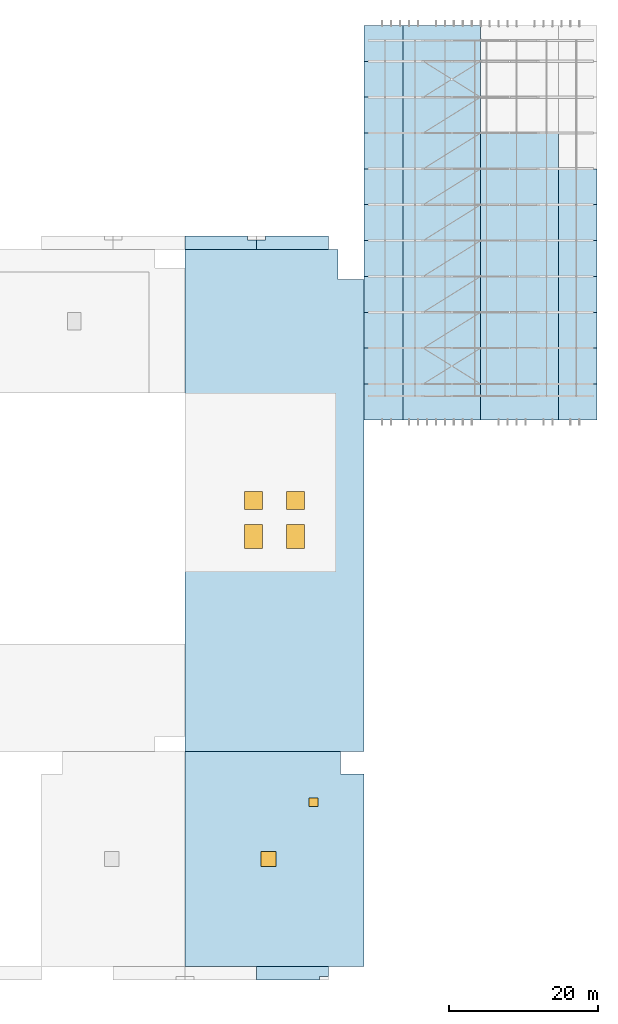
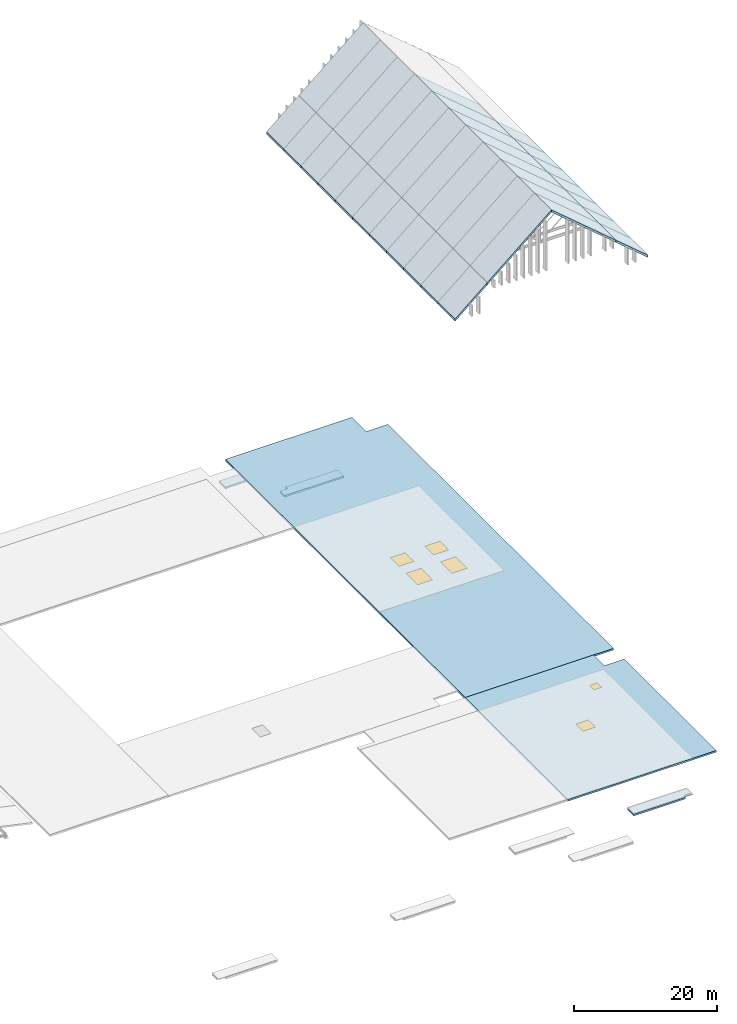
# One storey, part 41 of 60: 42 slabs, 6 windows, 6 openings, 1 element without a shape of its own.
"""IFC4 building model written with IfcOpenShell, lengths in metres."""

from ifc_helpers import new_model, si_unit, direction, frame, origin, origin_2d, place, context, subcontext, project, spatial, polyline, rectangle, outline, extrude, material, layer, layer_set, type_object, element, fill, aggregate, save


model = new_model("IFC4")

# Units and contexts
model_context = context("Model", 3, precision=1e-05, world=origin(), true_north=direction((0.0, 1.0)))
body_context = subcontext(model_context, "Body", "Model", "MODEL_VIEW")
ifc_project = project(units=[si_unit("LENGTHUNIT", "METRE"), si_unit("AREAUNIT", "SQUARE_METRE"), si_unit("VOLUMEUNIT", "CUBIC_METRE"), si_unit("PLANEANGLEUNIT", "RADIAN"), si_unit("MASSUNIT", "GRAM", prefix="KILO")], contexts=[model_context])

# Site, building, storey
site_placement = place(None, origin())
site = spatial("IfcSite", under=ifc_project, at=site_placement, CompositionType="ELEMENT")
building_placement = place(site_placement, origin())
building = spatial("IfcBuilding", under=site, at=building_placement, Name="Nakhvara Creek Congress Hotel", CompositionType="ELEMENT")
storey_placement = place(building_placement, frame((0.0, 0.0, 54.60009765625)))
storey = spatial("IfcBuildingStorey", under=building, at=storey_placement, Name="RL1", CompositionType="ELEMENT", Elevation=54.60009765625)

# Slab, openings, windows
ifc_material_1 = material(Name="Concrete C40/50", Category="concrete")
ifc_layer_1 = layer(ifc_material_1, 0.2900390625)
ifc_layer_set_1 = layer_set([ifc_layer_1], Name="Concrete C40/50")
slab_type_1 = type_object("IfcSlabType", Name="SL-ROOF-290", PredefinedType="ROOF", material=ifc_layer_set_1)
slab_1_placement = place(storey_placement, frame((0.0, 0.0, -33.89013671875)))
slab_1 = element("IfcSlab", 1, at=slab_1_placement, inside=storey, type_object=slab_type_1, Name="Maintenance Roof Slab SLB-RF-V3-EAST", PredefinedType="ROOF", context=body_context, shape_type="SweptSolid", body=[
    extrude(outline(polyline([(124.800048828125, 28.800048828125), (148.800048828125, 28.800048828125), (148.800048828125, 92.0), (145.300048828125, 92.0), (145.300048828125, 96.0), (124.800048828125, 96.0), (124.800048828125, 28.800048828125)])), origin(), (0.0, 0.0, 1.0), 0.2900390625),
])
opening_1_placement = place(slab_1_placement, frame((134.0, 57.60009765625, 0.0), z_axis=(0.0, 0.0, 1.0), x_axis=(1.0, 0.0, 0.0)))
opening_1 = element("IfcOpeningElement", 2, at=opening_1_placement, cuts=slab_1, Name="Opening SK01", PredefinedType="OPENING", context=body_context, shape_type="SweptSolid", body=[
    extrude(rectangle(XDim=2.39990234375, YDim=3.199951171875, at=origin_2d()), frame((0.0, 0.0, -0.011962890625)), (0.0, 0.0, 1.0), 0.31396484375),
])
opening_2_placement = place(slab_1_placement, frame((139.60009765625, 57.60009765625, 0.0), z_axis=(0.0, 0.0, 1.0), x_axis=(1.0, 0.0, 0.0)))
opening_2 = element("IfcOpeningElement", 3, at=opening_2_placement, cuts=slab_1, Name="Opening SK02", PredefinedType="OPENING", context=body_context, shape_type="SweptSolid", body=[
    extrude(rectangle(XDim=2.39990234375, YDim=3.199951171875, at=origin_2d()), frame((0.0, 0.0, -0.011962890625)), (0.0, 0.0, 1.0), 0.31396484375),
])
opening_3_placement = place(slab_1_placement, frame((134.0, 62.39990234375, 0.0), z_axis=(0.0, 0.0, 1.0), x_axis=(1.0, 0.0, 0.0)))
opening_3 = element("IfcOpeningElement", 4, at=opening_3_placement, cuts=slab_1, Name="Opening SK03", PredefinedType="OPENING", context=body_context, shape_type="SweptSolid", body=[
    extrude(rectangle(XDim=2.39990234375, YDim=2.39990234375, at=origin_2d()), frame((0.0, 0.0, -0.011962890625)), (0.0, 0.0, 1.0), 0.31396484375),
])
opening_4_placement = place(slab_1_placement, frame((139.60009765625, 62.39990234375, 0.0), z_axis=(0.0, 0.0, 1.0), x_axis=(1.0, 0.0, 0.0)))
opening_4 = element("IfcOpeningElement", 5, at=opening_4_placement, cuts=slab_1, Name="Opening SK04", PredefinedType="OPENING", context=body_context, shape_type="SweptSolid", body=[
    extrude(rectangle(XDim=2.39990234375, YDim=2.39990234375, at=origin_2d()), frame((0.0, 0.0, -0.011962890625)), (0.0, 0.0, 1.0), 0.31396484375),
])
ifc_material_2 = material(Name="Thermally broken bronze-anodised aluminium and double-silver low-E insulated glass", Category="aluminium")
window_type_1 = type_object("IfcWindowType", Name="SK-ATR-240X240", PartitioningType="SINGLE_PANEL", PredefinedType="SKYLIGHT", material=ifc_material_2)
window_1_placement = place(opening_3_placement, frame((0.0, 0.0, 0.239990234375)))
window_1 = element("IfcWindow", 6, at=window_1_placement, inside=storey, type_object=window_type_1, Name="Roof Skylight SK03", OverallHeight=2.39990234375, OverallWidth=2.39990234375, PartitioningType="SINGLE_PANEL", PredefinedType="SKYLIGHT", context=body_context, shape_type="SweptSolid", body=[
    extrude(rectangle(XDim=2.39990234375, YDim=2.39990234375, at=origin_2d()), origin(), (0.0, 0.0, 1.0), 0.050048828125),
])
fill(opening_3, window_1)
window_2_placement = place(opening_4_placement, frame((0.0, 0.0, 0.239990234375)))
window_2 = element("IfcWindow", 7, at=window_2_placement, inside=storey, type_object=window_type_1, Name="Roof Skylight SK04", OverallHeight=2.39990234375, OverallWidth=2.39990234375, PartitioningType="SINGLE_PANEL", PredefinedType="SKYLIGHT", context=body_context, shape_type="SweptSolid", body=[
    extrude(rectangle(XDim=2.39990234375, YDim=2.39990234375, at=origin_2d()), origin(), (0.0, 0.0, 1.0), 0.050048828125),
])
fill(opening_4, window_2)
window_type_2 = type_object("IfcWindowType", Name="SK-ATR-240X320", PartitioningType="SINGLE_PANEL", PredefinedType="SKYLIGHT", material=ifc_material_2)
window_3_placement = place(opening_1_placement, frame((0.0, 0.0, 0.239990234375)))
window_3 = element("IfcWindow", 8, at=window_3_placement, inside=storey, type_object=window_type_2, Name="Roof Skylight SK01", OverallHeight=3.199951171875, OverallWidth=2.39990234375, PartitioningType="SINGLE_PANEL", PredefinedType="SKYLIGHT", context=body_context, shape_type="SweptSolid", body=[
    extrude(rectangle(XDim=2.39990234375, YDim=3.199951171875, at=origin_2d()), origin(), (0.0, 0.0, 1.0), 0.050048828125),
])
fill(opening_1, window_3)
window_4_placement = place(opening_2_placement, frame((0.0, 0.0, 0.239990234375)))
window_4 = element("IfcWindow", 9, at=window_4_placement, inside=storey, type_object=window_type_2, Name="Roof Skylight SK02", OverallHeight=3.199951171875, OverallWidth=2.39990234375, PartitioningType="SINGLE_PANEL", PredefinedType="SKYLIGHT", context=body_context, shape_type="SweptSolid", body=[
    extrude(rectangle(XDim=2.39990234375, YDim=3.199951171875, at=origin_2d()), origin(), (0.0, 0.0, 1.0), 0.050048828125),
])
fill(opening_2, window_4)

slab_2_placement = place(storey_placement, frame((0.0, 0.0, -33.89013671875)))
slab_2 = element("IfcSlab", 10, at=slab_2_placement, inside=storey, type_object=slab_type_1, Name="Maintenance Roof Slab SLB-RF-V4E-E", PredefinedType="ROOF", context=body_context, shape_type="SweptSolid", body=[
    extrude(outline(polyline([(124.800048828125, 0.0), (148.800048828125, 0.0), (148.800048828125, 25.800048828125), (145.60009765625, 25.800048828125), (145.60009765625, 28.800048828125), (124.800048828125, 28.800048828125), (124.800048828125, 0.0)])), origin(), (0.0, 0.0, 1.0), 0.2900390625),
])
opening_5_placement = place(slab_2_placement, frame((136.0, 14.39990234375, 0.0), z_axis=(0.0, 0.0, 1.0), x_axis=(1.0, 0.0, 0.0)))
opening_5 = element("IfcOpeningElement", 11, at=opening_5_placement, cuts=slab_2, Name="Opening SK08", PredefinedType="OPENING", context=body_context, shape_type="SweptSolid", body=[
    extrude(rectangle(XDim=2.0, YDim=2.0, at=origin_2d()), frame((0.0, 0.0, -0.011962890625)), (0.0, 0.0, 1.0), 0.31396484375),
])
opening_6_placement = place(slab_2_placement, frame((142.0, 22.0, 0.0), z_axis=(0.0, 0.0, 1.0), x_axis=(1.0, 0.0, 0.0)))
opening_6 = element("IfcOpeningElement", 12, at=opening_6_placement, cuts=slab_2, Name="Opening RH02", PredefinedType="OPENING", context=body_context, shape_type="SweptSolid", body=[
    extrude(rectangle(XDim=1.199951171875, YDim=1.199951171875, at=origin_2d()), frame((0.0, 0.0, -0.011962890625)), (0.0, 0.0, 1.0), 0.31396484375),
])
window_type_3 = type_object("IfcWindowType", Name="SK-HTH-120X120", PartitioningType="SINGLE_PANEL", PredefinedType="SKYLIGHT", material=ifc_material_2)
window_5_placement = place(opening_6_placement, frame((0.0, 0.0, 0.239990234375)))
window_5 = element("IfcWindow", 13, at=window_5_placement, inside=storey, type_object=window_type_3, Name="Roof Skylight RH02", OverallHeight=1.199951171875, OverallWidth=1.199951171875, PartitioningType="SINGLE_PANEL", PredefinedType="SKYLIGHT", context=body_context, shape_type="SweptSolid", body=[
    extrude(rectangle(XDim=1.199951171875, YDim=1.199951171875, at=origin_2d()), origin(), (0.0, 0.0, 1.0), 0.050048828125),
])
fill(opening_6, window_5)
window_type_4 = type_object("IfcWindowType", Name="SK-SPA-200X200", PartitioningType="SINGLE_PANEL", PredefinedType="SKYLIGHT", material=ifc_material_2)
window_6_placement = place(opening_5_placement, frame((0.0, 0.0, 0.239990234375)))
window_6 = element("IfcWindow", 14, at=window_6_placement, inside=storey, type_object=window_type_4, Name="Roof Skylight SK08", OverallHeight=2.0, OverallWidth=2.0, PartitioningType="SINGLE_PANEL", PredefinedType="SKYLIGHT", context=body_context, shape_type="SweptSolid", body=[
    extrude(rectangle(XDim=2.0, YDim=2.0, at=origin_2d()), origin(), (0.0, 0.0, 1.0), 0.050048828125),
])
fill(opening_5, window_6)

# Slabs
slab_3_placement = place(storey_placement, frame((0.0, 0.0, -38.690185546875)))
element("IfcSlab", 15, at=slab_3_placement, inside=storey, type_object=slab_type_1, Name="Glazed Meeting Box Maintenance Roof Slab PBOX-L02-N3", PredefinedType="ROOF", context=body_context, shape_type="SweptSolid", body=[
    extrude(outline(polyline([(124.800048828125, 96.0), (134.39990234375, 96.0), (134.39990234375, 97.300048828125), (133.199951171875, 97.300048828125), (133.199951171875, 97.800048828125), (124.800048828125, 97.800048828125), (124.800048828125, 96.0)])), origin(), (0.0, 0.0, 1.0), 0.2900390625),
])
slab_4_placement = place(storey_placement, frame((0.0, 0.0, -38.690185546875)))
element("IfcSlab", 16, at=slab_4_placement, inside=storey, type_object=slab_type_1, Name="Glazed Meeting Box Maintenance Roof Slab PBOX-L02-S2", PredefinedType="ROOF", context=body_context, shape_type="SweptSolid", body=[
    extrude(outline(polyline([(134.39990234375, -1.800048828125), (142.800048828125, -1.800048828125), (142.800048828125, -1.300048828125), (144.0, -1.300048828125), (144.0, 0.0), (134.39990234375, 0.0), (134.39990234375, -1.800048828125)])), origin(), (0.0, 0.0, 1.0), 0.2900390625),
])
slab_5_placement = place(storey_placement, frame((0.0, 0.0, -43.489990234375)))
element("IfcSlab", 17, at=slab_5_placement, inside=storey, type_object=slab_type_1, Name="Glazed Foyer Box Maintenance Roof Slab PBOX-L01-N3", PredefinedType="ROOF", context=body_context, shape_type="SweptSolid", body=[
    extrude(outline(polyline([(134.39990234375, 96.0), (144.0, 96.0), (144.0, 97.800048828125), (135.60009765625, 97.800048828125), (135.60009765625, 97.300048828125), (134.39990234375, 97.300048828125), (134.39990234375, 96.0)])), origin(), (0.0, 0.0, 1.0), 0.289794921875),
])

# Roof, slabs
ifc_layer_2 = layer(ifc_material_1, 0.31005859375)
ifc_layer_set_2 = layer_set([ifc_layer_2], Name="Concrete C40/50")
roof_type = type_object("IfcRoofType", Name="ROOF-HTL-GABLE", PredefinedType="GABLE_ROOF", material=ifc_layer_set_2)
roof_placement = place(storey_placement, origin())
roof = element("IfcRoof", 18, at=roof_placement, inside=storey, type_object=roof_type, Name="Hotel Wing Steep Triangular Gothic Gable Roof", PredefinedType="GABLE_ROOF")
ifc_layer_3 = layer(ifc_material_1, 0.31005859375)
ifc_layer_set_3 = layer_set([ifc_layer_3], Name="Concrete C40/50")
slab_type_2 = type_object("IfcSlabType", Name="SL-ROOF-310", PredefinedType="ROOF", material=ifc_layer_set_3)
slab_6_placement = place(storey_placement, frame((148.800048828125, 73.199951171875, -4.2001953125), z_axis=(0.0, 0.0, 1.0), x_axis=(1.0, 0.0, 0.0)))
slab_6 = element("IfcSlab", 19, at=slab_6_placement, type_object=slab_type_2, Name="Hotel Gothic Gable West Lower Eave Slope Bay 1", PredefinedType="ROOF", context=body_context, shape_type="SweptSolid", body=[
    extrude(outline(polyline([(0.0, 0.0), (5.199951171875, 4.400146484375), (5.199951171875, 3.994140625), (0.0, -0.406005859375), (0.0, 0.0)])), frame((0.0, 4.800048828125, 0.0), z_axis=(0.0, -1.0, 0.0), x_axis=(1.0, 0.0, 0.0)), (0.0, 0.0, 1.0), 4.800048828125),
])
slab_7_placement = place(storey_placement, frame((174.800048828125, 73.199951171875, 0.199951171875), z_axis=(0.0, 0.0, 1.0), x_axis=(1.0, 0.0, 0.0)))
slab_7 = element("IfcSlab", 20, at=slab_7_placement, type_object=slab_type_2, Name="Hotel Gothic Gable East Lower Eave Slope Bay 1", PredefinedType="ROOF", context=body_context, shape_type="SweptSolid", body=[
    extrude(outline(polyline([(0.0, 0.0), (5.199951171875, -4.400146484375), (5.199951171875, -4.80615234375), (0.0, -0.406005859375), (0.0, 0.0)])), frame((0.0, 4.800048828125, 0.0), z_axis=(0.0, -1.0, 0.0), x_axis=(1.0, 0.0, 0.0)), (0.0, 0.0, 1.0), 4.800048828125),
])
slab_8_placement = place(storey_placement, frame((154.0, 73.199951171875, 0.199951171875), z_axis=(0.0, 0.0, 1.0), x_axis=(1.0, 0.0, 0.0)))
slab_8 = element("IfcSlab", 21, at=slab_8_placement, type_object=slab_type_2, Name="Hotel Gothic Gable West Crown Roof Slope Bay 1", PredefinedType="ROOF", context=body_context, shape_type="SweptSolid", body=[
    extrude(outline(polyline([(0.0, 0.0), (10.39990234375, 8.800048828125), (10.39990234375, 8.39404296875), (0.0, -0.406005859375), (0.0, 0.0)])), frame((0.0, 4.800048828125, 0.0), z_axis=(0.0, -1.0, 0.0), x_axis=(1.0, 0.0, 0.0)), (0.0, 0.0, 1.0), 4.800048828125),
])
slab_9_placement = place(storey_placement, frame((164.39990234375, 73.199951171875, 9.0), z_axis=(0.0, 0.0, 1.0), x_axis=(1.0, 0.0, 0.0)))
slab_9 = element("IfcSlab", 22, at=slab_9_placement, type_object=slab_type_2, Name="Hotel Gothic Gable East Crown Roof Slope Bay 1", PredefinedType="ROOF", context=body_context, shape_type="SweptSolid", body=[
    extrude(outline(polyline([(0.0, 0.0), (10.400146484375, -8.800048828125), (10.400146484375, -9.2060546875), (0.0, -0.406005859375), (0.0, 0.0)])), frame((0.0, 4.800048828125, 0.0), z_axis=(0.0, -1.0, 0.0), x_axis=(1.0, 0.0, 0.0)), (0.0, 0.0, 1.0), 4.800048828125),
])
slab_10_placement = place(storey_placement, frame((148.800048828125, 78.0, -4.2001953125), z_axis=(0.0, 0.0, 1.0), x_axis=(1.0, 0.0, 0.0)))
slab_10 = element("IfcSlab", 23, at=slab_10_placement, type_object=slab_type_2, Name="Hotel Gothic Gable West Lower Eave Slope Bay 2", PredefinedType="ROOF", context=body_context, shape_type="SweptSolid", body=[
    extrude(outline(polyline([(0.0, 0.0), (5.199951171875, 4.400146484375), (5.199951171875, 3.994140625), (0.0, -0.406005859375), (0.0, 0.0)])), frame((0.0, 4.800048828125, 0.0), z_axis=(0.0, -1.0, 0.0), x_axis=(1.0, 0.0, 0.0)), (0.0, 0.0, 1.0), 4.800048828125),
])
slab_11_placement = place(storey_placement, frame((174.800048828125, 78.0, 0.199951171875), z_axis=(0.0, 0.0, 1.0), x_axis=(1.0, 0.0, 0.0)))
slab_11 = element("IfcSlab", 24, at=slab_11_placement, type_object=slab_type_2, Name="Hotel Gothic Gable East Lower Eave Slope Bay 2", PredefinedType="ROOF", context=body_context, shape_type="SweptSolid", body=[
    extrude(outline(polyline([(0.0, 0.0), (5.199951171875, -4.400146484375), (5.199951171875, -4.80615234375), (0.0, -0.406005859375), (0.0, 0.0)])), frame((0.0, 4.800048828125, 0.0), z_axis=(0.0, -1.0, 0.0), x_axis=(1.0, 0.0, 0.0)), (0.0, 0.0, 1.0), 4.800048828125),
])
slab_12_placement = place(storey_placement, frame((154.0, 78.0, 0.199951171875), z_axis=(0.0, 0.0, 1.0), x_axis=(1.0, 0.0, 0.0)))
slab_12 = element("IfcSlab", 25, at=slab_12_placement, type_object=slab_type_2, Name="Hotel Gothic Gable West Crown Roof Slope Bay 2", PredefinedType="ROOF", context=body_context, shape_type="SweptSolid", body=[
    extrude(outline(polyline([(0.0, 0.0), (10.39990234375, 8.800048828125), (10.39990234375, 8.39404296875), (0.0, -0.406005859375), (0.0, 0.0)])), frame((0.0, 4.800048828125, 0.0), z_axis=(0.0, -1.0, 0.0), x_axis=(1.0, 0.0, 0.0)), (0.0, 0.0, 1.0), 4.800048828125),
])
slab_13_placement = place(storey_placement, frame((164.39990234375, 78.0, 9.0), z_axis=(0.0, 0.0, 1.0), x_axis=(1.0, 0.0, 0.0)))
slab_13 = element("IfcSlab", 26, at=slab_13_placement, type_object=slab_type_2, Name="Hotel Gothic Gable East Crown Roof Slope Bay 2", PredefinedType="ROOF", context=body_context, shape_type="SweptSolid", body=[
    extrude(outline(polyline([(0.0, 0.0), (10.400146484375, -8.800048828125), (10.400146484375, -9.2060546875), (0.0, -0.406005859375), (0.0, 0.0)])), frame((0.0, 4.800048828125, 0.0), z_axis=(0.0, -1.0, 0.0), x_axis=(1.0, 0.0, 0.0)), (0.0, 0.0, 1.0), 4.800048828125),
])
slab_14_placement = place(storey_placement, frame((148.800048828125, 82.800048828125, -4.2001953125), z_axis=(0.0, 0.0, 1.0), x_axis=(1.0, 0.0, 0.0)))
slab_14 = element("IfcSlab", 27, at=slab_14_placement, type_object=slab_type_2, Name="Hotel Gothic Gable West Lower Eave Slope Bay 3", PredefinedType="ROOF", context=body_context, shape_type="SweptSolid", body=[
    extrude(outline(polyline([(0.0, 0.0), (5.199951171875, 4.400146484375), (5.199951171875, 3.994140625), (0.0, -0.406005859375), (0.0, 0.0)])), frame((0.0, 4.800048828125, 0.0), z_axis=(0.0, -1.0, 0.0), x_axis=(1.0, 0.0, 0.0)), (0.0, 0.0, 1.0), 4.800048828125),
])
slab_15_placement = place(storey_placement, frame((174.800048828125, 82.800048828125, 0.199951171875), z_axis=(0.0, 0.0, 1.0), x_axis=(1.0, 0.0, 0.0)))
slab_15 = element("IfcSlab", 28, at=slab_15_placement, type_object=slab_type_2, Name="Hotel Gothic Gable East Lower Eave Slope Bay 3", PredefinedType="ROOF", context=body_context, shape_type="SweptSolid", body=[
    extrude(outline(polyline([(0.0, 0.0), (5.199951171875, -4.400146484375), (5.199951171875, -4.80615234375), (0.0, -0.406005859375), (0.0, 0.0)])), frame((0.0, 4.800048828125, 0.0), z_axis=(0.0, -1.0, 0.0), x_axis=(1.0, 0.0, 0.0)), (0.0, 0.0, 1.0), 4.800048828125),
])
slab_16_placement = place(storey_placement, frame((154.0, 82.800048828125, 0.199951171875), z_axis=(0.0, 0.0, 1.0), x_axis=(1.0, 0.0, 0.0)))
slab_16 = element("IfcSlab", 29, at=slab_16_placement, type_object=slab_type_2, Name="Hotel Gothic Gable West Crown Roof Slope Bay 3", PredefinedType="ROOF", context=body_context, shape_type="SweptSolid", body=[
    extrude(outline(polyline([(0.0, 0.0), (10.39990234375, 8.800048828125), (10.39990234375, 8.39404296875), (0.0, -0.406005859375), (0.0, 0.0)])), frame((0.0, 4.800048828125, 0.0), z_axis=(0.0, -1.0, 0.0), x_axis=(1.0, 0.0, 0.0)), (0.0, 0.0, 1.0), 4.800048828125),
])
slab_17_placement = place(storey_placement, frame((164.39990234375, 82.800048828125, 9.0), z_axis=(0.0, 0.0, 1.0), x_axis=(1.0, 0.0, 0.0)))
slab_17 = element("IfcSlab", 30, at=slab_17_placement, type_object=slab_type_2, Name="Hotel Gothic Gable East Crown Roof Slope Bay 3", PredefinedType="ROOF", context=body_context, shape_type="SweptSolid", body=[
    extrude(outline(polyline([(0.0, 0.0), (10.400146484375, -8.800048828125), (10.400146484375, -9.2060546875), (0.0, -0.406005859375), (0.0, 0.0)])), frame((0.0, 4.800048828125, 0.0), z_axis=(0.0, -1.0, 0.0), x_axis=(1.0, 0.0, 0.0)), (0.0, 0.0, 1.0), 4.800048828125),
])
slab_18_placement = place(storey_placement, frame((148.800048828125, 87.60009765625, -4.2001953125), z_axis=(0.0, 0.0, 1.0), x_axis=(1.0, 0.0, 0.0)))
slab_18 = element("IfcSlab", 31, at=slab_18_placement, type_object=slab_type_2, Name="Hotel Gothic Gable West Lower Eave Slope Bay 4", PredefinedType="ROOF", context=body_context, shape_type="SweptSolid", body=[
    extrude(outline(polyline([(0.0, 0.0), (5.199951171875, 4.400146484375), (5.199951171875, 3.994140625), (0.0, -0.406005859375), (0.0, 0.0)])), frame((0.0, 4.7998046875, 0.0), z_axis=(0.0, -1.0, 0.0), x_axis=(1.0, 0.0, 0.0)), (0.0, 0.0, 1.0), 4.7998046875),
])
slab_19_placement = place(storey_placement, frame((174.800048828125, 87.60009765625, 0.199951171875), z_axis=(0.0, 0.0, 1.0), x_axis=(1.0, 0.0, 0.0)))
slab_19 = element("IfcSlab", 32, at=slab_19_placement, type_object=slab_type_2, Name="Hotel Gothic Gable East Lower Eave Slope Bay 4", PredefinedType="ROOF", context=body_context, shape_type="SweptSolid", body=[
    extrude(outline(polyline([(0.0, 0.0), (5.199951171875, -4.400146484375), (5.199951171875, -4.80615234375), (0.0, -0.406005859375), (0.0, 0.0)])), frame((0.0, 4.7998046875, 0.0), z_axis=(0.0, -1.0, 0.0), x_axis=(1.0, 0.0, 0.0)), (0.0, 0.0, 1.0), 4.7998046875),
])
slab_20_placement = place(storey_placement, frame((154.0, 87.60009765625, 0.199951171875), z_axis=(0.0, 0.0, 1.0), x_axis=(1.0, 0.0, 0.0)))
slab_20 = element("IfcSlab", 33, at=slab_20_placement, type_object=slab_type_2, Name="Hotel Gothic Gable West Crown Roof Slope Bay 4", PredefinedType="ROOF", context=body_context, shape_type="SweptSolid", body=[
    extrude(outline(polyline([(0.0, 0.0), (10.39990234375, 8.800048828125), (10.39990234375, 8.39404296875), (0.0, -0.406005859375), (0.0, 0.0)])), frame((0.0, 4.7998046875, 0.0), z_axis=(0.0, -1.0, 0.0), x_axis=(1.0, 0.0, 0.0)), (0.0, 0.0, 1.0), 4.7998046875),
])
slab_21_placement = place(storey_placement, frame((164.39990234375, 87.60009765625, 9.0), z_axis=(0.0, 0.0, 1.0), x_axis=(1.0, 0.0, 0.0)))
slab_21 = element("IfcSlab", 34, at=slab_21_placement, type_object=slab_type_2, Name="Hotel Gothic Gable East Crown Roof Slope Bay 4", PredefinedType="ROOF", context=body_context, shape_type="SweptSolid", body=[
    extrude(outline(polyline([(0.0, 0.0), (10.400146484375, -8.800048828125), (10.400146484375, -9.2060546875), (0.0, -0.406005859375), (0.0, 0.0)])), frame((0.0, 4.7998046875, 0.0), z_axis=(0.0, -1.0, 0.0), x_axis=(1.0, 0.0, 0.0)), (0.0, 0.0, 1.0), 4.7998046875),
])
slab_22_placement = place(storey_placement, frame((148.800048828125, 92.39990234375, -4.2001953125), z_axis=(0.0, 0.0, 1.0), x_axis=(1.0, 0.0, 0.0)))
slab_22 = element("IfcSlab", 35, at=slab_22_placement, type_object=slab_type_2, Name="Hotel Gothic Gable West Lower Eave Slope Bay 5", PredefinedType="ROOF", context=body_context, shape_type="SweptSolid", body=[
    extrude(outline(polyline([(0.0, 0.0), (5.199951171875, 4.400146484375), (5.199951171875, 3.994140625), (0.0, -0.406005859375), (0.0, 0.0)])), frame((0.0, 4.800048828125, 0.0), z_axis=(0.0, -1.0, 0.0), x_axis=(1.0, 0.0, 0.0)), (0.0, 0.0, 1.0), 4.800048828125),
])
slab_23_placement = place(storey_placement, frame((174.800048828125, 92.39990234375, 0.199951171875), z_axis=(0.0, 0.0, 1.0), x_axis=(1.0, 0.0, 0.0)))
slab_23 = element("IfcSlab", 36, at=slab_23_placement, type_object=slab_type_2, Name="Hotel Gothic Gable East Lower Eave Slope Bay 5", PredefinedType="ROOF", context=body_context, shape_type="SweptSolid", body=[
    extrude(outline(polyline([(0.0, 0.0), (5.199951171875, -4.400146484375), (5.199951171875, -4.80615234375), (0.0, -0.406005859375), (0.0, 0.0)])), frame((0.0, 4.800048828125, 0.0), z_axis=(0.0, -1.0, 0.0), x_axis=(1.0, 0.0, 0.0)), (0.0, 0.0, 1.0), 4.800048828125),
])
slab_24_placement = place(storey_placement, frame((154.0, 92.39990234375, 0.199951171875), z_axis=(0.0, 0.0, 1.0), x_axis=(1.0, 0.0, 0.0)))
slab_24 = element("IfcSlab", 37, at=slab_24_placement, type_object=slab_type_2, Name="Hotel Gothic Gable West Crown Roof Slope Bay 5", PredefinedType="ROOF", context=body_context, shape_type="SweptSolid", body=[
    extrude(outline(polyline([(0.0, 0.0), (10.39990234375, 8.800048828125), (10.39990234375, 8.39404296875), (0.0, -0.406005859375), (0.0, 0.0)])), frame((0.0, 4.800048828125, 0.0), z_axis=(0.0, -1.0, 0.0), x_axis=(1.0, 0.0, 0.0)), (0.0, 0.0, 1.0), 4.800048828125),
])
slab_25_placement = place(storey_placement, frame((164.39990234375, 92.39990234375, 9.0), z_axis=(0.0, 0.0, 1.0), x_axis=(1.0, 0.0, 0.0)))
slab_25 = element("IfcSlab", 38, at=slab_25_placement, type_object=slab_type_2, Name="Hotel Gothic Gable East Crown Roof Slope Bay 5", PredefinedType="ROOF", context=body_context, shape_type="SweptSolid", body=[
    extrude(outline(polyline([(0.0, 0.0), (10.400146484375, -8.800048828125), (10.400146484375, -9.2060546875), (0.0, -0.406005859375), (0.0, 0.0)])), frame((0.0, 4.800048828125, 0.0), z_axis=(0.0, -1.0, 0.0), x_axis=(1.0, 0.0, 0.0)), (0.0, 0.0, 1.0), 4.800048828125),
])
slab_26_placement = place(storey_placement, frame((148.800048828125, 97.199951171875, -4.2001953125), z_axis=(0.0, 0.0, 1.0), x_axis=(1.0, 0.0, 0.0)))
slab_26 = element("IfcSlab", 39, at=slab_26_placement, type_object=slab_type_2, Name="Hotel Gothic Gable West Lower Eave Slope Bay 6", PredefinedType="ROOF", context=body_context, shape_type="SweptSolid", body=[
    extrude(outline(polyline([(0.0, 0.0), (5.199951171875, 4.400146484375), (5.199951171875, 3.994140625), (0.0, -0.406005859375), (0.0, 0.0)])), frame((0.0, 4.800048828125, 0.0), z_axis=(0.0, -1.0, 0.0), x_axis=(1.0, 0.0, 0.0)), (0.0, 0.0, 1.0), 4.800048828125),
])
slab_27_placement = place(storey_placement, frame((174.800048828125, 97.199951171875, 0.199951171875), z_axis=(0.0, 0.0, 1.0), x_axis=(1.0, 0.0, 0.0)))
slab_27 = element("IfcSlab", 40, at=slab_27_placement, type_object=slab_type_2, Name="Hotel Gothic Gable East Lower Eave Slope Bay 6", PredefinedType="ROOF", context=body_context, shape_type="SweptSolid", body=[
    extrude(outline(polyline([(0.0, 0.0), (5.199951171875, -4.400146484375), (5.199951171875, -4.80615234375), (0.0, -0.406005859375), (0.0, 0.0)])), frame((0.0, 4.800048828125, 0.0), z_axis=(0.0, -1.0, 0.0), x_axis=(1.0, 0.0, 0.0)), (0.0, 0.0, 1.0), 4.800048828125),
])
slab_28_placement = place(storey_placement, frame((154.0, 97.199951171875, 0.199951171875), z_axis=(0.0, 0.0, 1.0), x_axis=(1.0, 0.0, 0.0)))
slab_28 = element("IfcSlab", 41, at=slab_28_placement, type_object=slab_type_2, Name="Hotel Gothic Gable West Crown Roof Slope Bay 6", PredefinedType="ROOF", context=body_context, shape_type="SweptSolid", body=[
    extrude(outline(polyline([(0.0, 0.0), (10.39990234375, 8.800048828125), (10.39990234375, 8.39404296875), (0.0, -0.406005859375), (0.0, 0.0)])), frame((0.0, 4.800048828125, 0.0), z_axis=(0.0, -1.0, 0.0), x_axis=(1.0, 0.0, 0.0)), (0.0, 0.0, 1.0), 4.800048828125),
])
slab_29_placement = place(storey_placement, frame((164.39990234375, 97.199951171875, 9.0), z_axis=(0.0, 0.0, 1.0), x_axis=(1.0, 0.0, 0.0)))
slab_29 = element("IfcSlab", 42, at=slab_29_placement, type_object=slab_type_2, Name="Hotel Gothic Gable East Crown Roof Slope Bay 6", PredefinedType="ROOF", context=body_context, shape_type="SweptSolid", body=[
    extrude(outline(polyline([(0.0, 0.0), (10.400146484375, -8.800048828125), (10.400146484375, -9.2060546875), (0.0, -0.406005859375), (0.0, 0.0)])), frame((0.0, 4.800048828125, 0.0), z_axis=(0.0, -1.0, 0.0), x_axis=(1.0, 0.0, 0.0)), (0.0, 0.0, 1.0), 4.800048828125),
])
slab_30_placement = place(storey_placement, frame((148.800048828125, 102.0, -4.2001953125), z_axis=(0.0, 0.0, 1.0), x_axis=(1.0, 0.0, 0.0)))
slab_30 = element("IfcSlab", 43, at=slab_30_placement, type_object=slab_type_2, Name="Hotel Gothic Gable West Lower Eave Slope Bay 7", PredefinedType="ROOF", context=body_context, shape_type="SweptSolid", body=[
    extrude(outline(polyline([(0.0, 0.0), (5.199951171875, 4.400146484375), (5.199951171875, 3.994140625), (0.0, -0.406005859375), (0.0, 0.0)])), frame((0.0, 4.800048828125, 0.0), z_axis=(0.0, -1.0, 0.0), x_axis=(1.0, 0.0, 0.0)), (0.0, 0.0, 1.0), 4.800048828125),
])
slab_31_placement = place(storey_placement, frame((174.800048828125, 102.0, 0.199951171875), z_axis=(0.0, 0.0, 1.0), x_axis=(1.0, 0.0, 0.0)))
slab_31 = element("IfcSlab", 44, at=slab_31_placement, type_object=slab_type_2, Name="Hotel Gothic Gable East Lower Eave Slope Bay 7", PredefinedType="ROOF", context=body_context, shape_type="SweptSolid", body=[
    extrude(outline(polyline([(0.0, 0.0), (5.199951171875, -4.400146484375), (5.199951171875, -4.80615234375), (0.0, -0.406005859375), (0.0, 0.0)])), frame((0.0, 4.800048828125, 0.0), z_axis=(0.0, -1.0, 0.0), x_axis=(1.0, 0.0, 0.0)), (0.0, 0.0, 1.0), 4.800048828125),
])
slab_32_placement = place(storey_placement, frame((154.0, 102.0, 0.199951171875), z_axis=(0.0, 0.0, 1.0), x_axis=(1.0, 0.0, 0.0)))
slab_32 = element("IfcSlab", 45, at=slab_32_placement, type_object=slab_type_2, Name="Hotel Gothic Gable West Crown Roof Slope Bay 7", PredefinedType="ROOF", context=body_context, shape_type="SweptSolid", body=[
    extrude(outline(polyline([(0.0, 0.0), (10.39990234375, 8.800048828125), (10.39990234375, 8.39404296875), (0.0, -0.406005859375), (0.0, 0.0)])), frame((0.0, 4.800048828125, 0.0), z_axis=(0.0, -1.0, 0.0), x_axis=(1.0, 0.0, 0.0)), (0.0, 0.0, 1.0), 4.800048828125),
])
slab_33_placement = place(storey_placement, frame((164.39990234375, 102.0, 9.0), z_axis=(0.0, 0.0, 1.0), x_axis=(1.0, 0.0, 0.0)))
slab_33 = element("IfcSlab", 46, at=slab_33_placement, type_object=slab_type_2, Name="Hotel Gothic Gable East Crown Roof Slope Bay 7", PredefinedType="ROOF", context=body_context, shape_type="SweptSolid", body=[
    extrude(outline(polyline([(0.0, 0.0), (10.400146484375, -8.800048828125), (10.400146484375, -9.2060546875), (0.0, -0.406005859375), (0.0, 0.0)])), frame((0.0, 4.800048828125, 0.0), z_axis=(0.0, -1.0, 0.0), x_axis=(1.0, 0.0, 0.0)), (0.0, 0.0, 1.0), 4.800048828125),
])
slab_34_placement = place(storey_placement, frame((148.800048828125, 106.800048828125, -4.2001953125), z_axis=(0.0, 0.0, 1.0), x_axis=(1.0, 0.0, 0.0)))
slab_34 = element("IfcSlab", 47, at=slab_34_placement, type_object=slab_type_2, Name="Hotel Gothic Gable West Lower Eave Slope Bay 8", PredefinedType="ROOF", context=body_context, shape_type="SweptSolid", body=[
    extrude(outline(polyline([(0.0, 0.0), (5.199951171875, 4.400146484375), (5.199951171875, 3.994140625), (0.0, -0.406005859375), (0.0, 0.0)])), frame((0.0, 4.800048828125, 0.0), z_axis=(0.0, -1.0, 0.0), x_axis=(1.0, 0.0, 0.0)), (0.0, 0.0, 1.0), 4.800048828125),
])
slab_35_placement = place(storey_placement, frame((154.0, 106.800048828125, 0.199951171875), z_axis=(0.0, 0.0, 1.0), x_axis=(1.0, 0.0, 0.0)))
slab_35 = element("IfcSlab", 48, at=slab_35_placement, type_object=slab_type_2, Name="Hotel Gothic Gable West Crown Roof Slope Bay 8", PredefinedType="ROOF", context=body_context, shape_type="SweptSolid", body=[
    extrude(outline(polyline([(0.0, 0.0), (10.39990234375, 8.800048828125), (10.39990234375, 8.39404296875), (0.0, -0.406005859375), (0.0, 0.0)])), frame((0.0, 4.800048828125, 0.0), z_axis=(0.0, -1.0, 0.0), x_axis=(1.0, 0.0, 0.0)), (0.0, 0.0, 1.0), 4.800048828125),
])
slab_36_placement = place(storey_placement, frame((164.39990234375, 106.800048828125, 9.0), z_axis=(0.0, 0.0, 1.0), x_axis=(1.0, 0.0, 0.0)))
slab_36 = element("IfcSlab", 49, at=slab_36_placement, type_object=slab_type_2, Name="Hotel Gothic Gable East Crown Roof Slope Bay 8", PredefinedType="ROOF", context=body_context, shape_type="SweptSolid", body=[
    extrude(outline(polyline([(0.0, 0.0), (10.400146484375, -8.800048828125), (10.400146484375, -9.2060546875), (0.0, -0.406005859375), (0.0, 0.0)])), frame((0.0, 4.800048828125, 0.0), z_axis=(0.0, -1.0, 0.0), x_axis=(1.0, 0.0, 0.0)), (0.0, 0.0, 1.0), 4.800048828125),
])
slab_37_placement = place(storey_placement, frame((148.800048828125, 111.60009765625, -4.2001953125), z_axis=(0.0, 0.0, 1.0), x_axis=(1.0, 0.0, 0.0)))
slab_37 = element("IfcSlab", 50, at=slab_37_placement, type_object=slab_type_2, Name="Hotel Gothic Gable West Lower Eave Slope Bay 9", PredefinedType="ROOF", context=body_context, shape_type="SweptSolid", body=[
    extrude(outline(polyline([(0.0, 0.0), (5.199951171875, 4.400146484375), (5.199951171875, 3.994140625), (0.0, -0.406005859375), (0.0, 0.0)])), frame((0.0, 4.7998046875, 0.0), z_axis=(0.0, -1.0, 0.0), x_axis=(1.0, 0.0, 0.0)), (0.0, 0.0, 1.0), 4.7998046875),
])
slab_38_placement = place(storey_placement, frame((154.0, 111.60009765625, 0.199951171875), z_axis=(0.0, 0.0, 1.0), x_axis=(1.0, 0.0, 0.0)))
slab_38 = element("IfcSlab", 51, at=slab_38_placement, type_object=slab_type_2, Name="Hotel Gothic Gable West Crown Roof Slope Bay 9", PredefinedType="ROOF", context=body_context, shape_type="SweptSolid", body=[
    extrude(outline(polyline([(0.0, 0.0), (10.39990234375, 8.800048828125), (10.39990234375, 8.39404296875), (0.0, -0.406005859375), (0.0, 0.0)])), frame((0.0, 4.7998046875, 0.0), z_axis=(0.0, -1.0, 0.0), x_axis=(1.0, 0.0, 0.0)), (0.0, 0.0, 1.0), 4.7998046875),
])
slab_39_placement = place(storey_placement, frame((148.800048828125, 116.39990234375, -4.2001953125), z_axis=(0.0, 0.0, 1.0), x_axis=(1.0, 0.0, 0.0)))
slab_39 = element("IfcSlab", 52, at=slab_39_placement, type_object=slab_type_2, Name="Hotel Gothic Gable West Lower Eave Slope Bay 10", PredefinedType="ROOF", context=body_context, shape_type="SweptSolid", body=[
    extrude(outline(polyline([(0.0, 0.0), (5.199951171875, 4.400146484375), (5.199951171875, 3.994140625), (0.0, -0.406005859375), (0.0, 0.0)])), frame((0.0, 4.800048828125, 0.0), z_axis=(0.0, -1.0, 0.0), x_axis=(1.0, 0.0, 0.0)), (0.0, 0.0, 1.0), 4.800048828125),
])
slab_40_placement = place(storey_placement, frame((154.0, 116.39990234375, 0.199951171875), z_axis=(0.0, 0.0, 1.0), x_axis=(1.0, 0.0, 0.0)))
slab_40 = element("IfcSlab", 53, at=slab_40_placement, type_object=slab_type_2, Name="Hotel Gothic Gable West Crown Roof Slope Bay 10", PredefinedType="ROOF", context=body_context, shape_type="SweptSolid", body=[
    extrude(outline(polyline([(0.0, 0.0), (10.39990234375, 8.800048828125), (10.39990234375, 8.39404296875), (0.0, -0.406005859375), (0.0, 0.0)])), frame((0.0, 4.800048828125, 0.0), z_axis=(0.0, -1.0, 0.0), x_axis=(1.0, 0.0, 0.0)), (0.0, 0.0, 1.0), 4.800048828125),
])
slab_41_placement = place(storey_placement, frame((148.800048828125, 121.199951171875, -4.2001953125), z_axis=(0.0, 0.0, 1.0), x_axis=(1.0, 0.0, 0.0)))
slab_41 = element("IfcSlab", 54, at=slab_41_placement, type_object=slab_type_2, Name="Hotel Gothic Gable West Lower Eave Slope Bay 11", PredefinedType="ROOF", context=body_context, shape_type="SweptSolid", body=[
    extrude(outline(polyline([(0.0, 0.0), (5.199951171875, 4.400146484375), (5.199951171875, 3.994140625), (0.0, -0.406005859375), (0.0, 0.0)])), frame((0.0, 4.800048828125, 0.0), z_axis=(0.0, -1.0, 0.0), x_axis=(1.0, 0.0, 0.0)), (0.0, 0.0, 1.0), 4.800048828125),
])
slab_42_placement = place(storey_placement, frame((154.0, 121.199951171875, 0.199951171875), z_axis=(0.0, 0.0, 1.0), x_axis=(1.0, 0.0, 0.0)))
slab_42 = element("IfcSlab", 55, at=slab_42_placement, type_object=slab_type_2, Name="Hotel Gothic Gable West Crown Roof Slope Bay 11", PredefinedType="ROOF", context=body_context, shape_type="SweptSolid", body=[
    extrude(outline(polyline([(0.0, 0.0), (10.39990234375, 8.800048828125), (10.39990234375, 8.39404296875), (0.0, -0.406005859375), (0.0, 0.0)])), frame((0.0, 4.800048828125, 0.0), z_axis=(0.0, -1.0, 0.0), x_axis=(1.0, 0.0, 0.0)), (0.0, 0.0, 1.0), 4.800048828125),
])
aggregate(roof, [slab_6, slab_7, slab_8, slab_9, slab_10, slab_11, slab_12, slab_13, slab_14, slab_15, slab_16, slab_17, slab_18, slab_19, slab_20, slab_21, slab_22, slab_23, slab_24, slab_25, slab_26, slab_27, slab_28, slab_29, slab_30, slab_31, slab_32, slab_33, slab_34, slab_35, slab_36, slab_37, slab_38, slab_39, slab_40, slab_41, slab_42])

save(model, "model.ifc")
